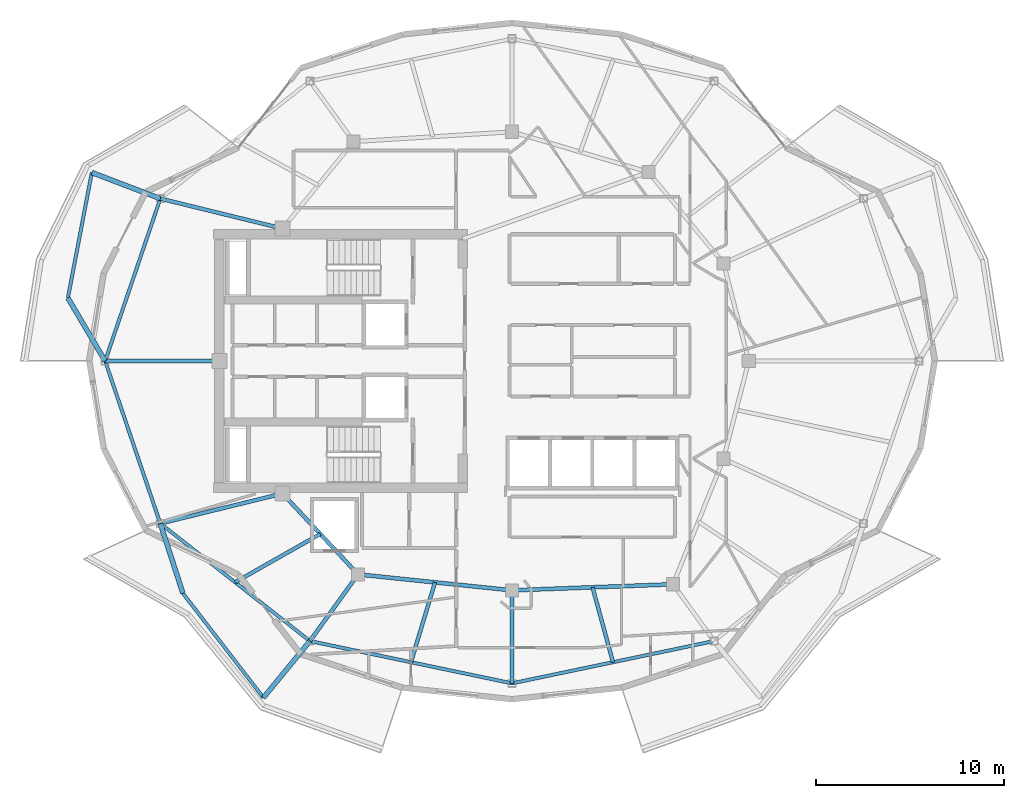
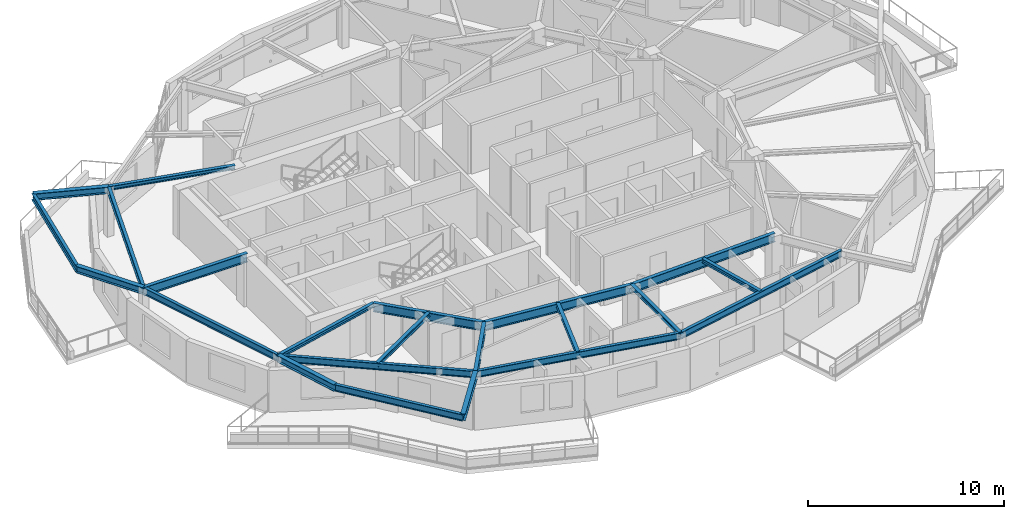
# One storey, part 2 of 14: 22 beams.
"""IFC4 building model written with IfcOpenShell, lengths in metres."""

from ifc_helpers import new_model, si_unit, direction, frame, origin, origin_2d, place, context, subcontext, project, spatial, i_section, extrude, material, material_profile, profile_set, type_object, element, save


model = new_model("IFC4")

# Units and contexts
model_context = context("Model", 3, precision=1e-05, world=origin(), true_north=direction((0.0, 1.0)))
body_context = subcontext(model_context, "Body", "Model", "MODEL_VIEW")
ifc_project = project(units=[si_unit("LENGTHUNIT", "METRE"), si_unit("AREAUNIT", "SQUARE_METRE"), si_unit("VOLUMEUNIT", "CUBIC_METRE"), si_unit("PLANEANGLEUNIT", "RADIAN"), si_unit("MASSUNIT", "GRAM", prefix="KILO")], contexts=[model_context])

# Site, building, storey
site_placement = place(None, origin())
site = spatial("IfcSite", under=ifc_project, at=site_placement, CompositionType="ELEMENT")
building_placement = place(site_placement, origin())
building = spatial("IfcBuilding", under=site, at=building_placement, Name="Kolvaren Gate Tower and Convention Centre", CompositionType="ELEMENT")
storey_placement = place(building_placement, frame((0.0, 0.0, 245.89990234375)))
storey = spatial("IfcBuildingStorey", under=building, at=storey_placement, Name="L66", CompositionType="ELEMENT", Elevation=245.89990234375)

# Beams
ifc_material = material(Name="Structural steel ASTM A992 Grade 345 MPa", Category="steel")
ifc_material_profile_1 = material_profile(ifc_material, i_section(OverallWidth=0.260009765625, OverallDepth=0.419921875, WebThickness=0.013427734375, FlangeThickness=0.0224609375, at=origin_2d()), Name="W410X132")
ifc_profile_set_1 = profile_set([ifc_material_profile_1], Name="Structural steel ASTM A992 Grade 345 MPa")
beam_type_1 = type_object("IfcBeamType", Name="STR-BM-W410X132", PredefinedType="BEAM", material=ifc_profile_set_1)
beam_1_placement = place(storey_placement, frame((11.4111328125, 35.6435546875, 2.820556640625), z_axis=(-0.934583890573, 0.355742816485, 0.0), x_axis=(-0.355742816485, -0.934583890573, 0.0)))
element("IfcBeam", 1, at=beam_1_placement, inside=storey, type_object=beam_type_1, Name="Tower L67 Planted Balcony Outrigger Cantilever BC-2A", PredefinedType="BEAM", context=body_context, shape_type="SweptSolid", body=[
    extrude(i_section(OverallWidth=0.260009765625, OverallDepth=0.419921875, WebThickness=0.013427734375, FlangeThickness=0.0224609375, at=origin_2d()), origin(), (0.0, 0.0, 1.0), 3.900146484375),
])
beam_2_placement = place(storey_placement, frame((8.47509765625, 27.0, 2.820556640625), z_axis=(-0.508138645793, 0.861275285058, 0.0), x_axis=(-0.861275285058, -0.508138645793, 0.0)))
element("IfcBeam", 2, at=beam_2_placement, inside=storey, type_object=beam_type_1, Name="Tower L67 Planted Balcony Outrigger Cantilever BC-2B", PredefinedType="BEAM", context=body_context, shape_type="SweptSolid", body=[
    extrude(i_section(OverallWidth=0.260009765625, OverallDepth=0.419921875, WebThickness=0.013427734375, FlangeThickness=0.0224609375, at=origin_2d()), origin(), (0.0, 0.0, 1.0), 3.89990234375),
])
beam_3_placement = place(storey_placement, frame((11.4111328125, 18.3564453125, 2.820556640625), z_axis=(0.307670281141, -0.951493036287, 0.0), x_axis=(0.951493036287, 0.307670281141, 0.0)))
element("IfcBeam", 3, at=beam_3_placement, inside=storey, type_object=beam_type_1, Name="Tower L67 Planted Balcony Outrigger Cantilever BC-3A", PredefinedType="BEAM", context=body_context, shape_type="SweptSolid", body=[
    extrude(i_section(OverallWidth=0.260009765625, OverallDepth=0.419921875, WebThickness=0.013427734375, FlangeThickness=0.0224609375, at=origin_2d()), origin(), (0.0, 0.0, 1.0), 3.900146484375),
])
beam_4_placement = place(storey_placement, frame((19.372314453125, 12.100830078125, 2.820556640625), z_axis=(-0.634712723343, -0.77274818591, 0.0), x_axis=(0.77274818591, -0.634712723343, 0.0)))
element("IfcBeam", 4, at=beam_4_placement, inside=storey, type_object=beam_type_1, Name="Tower L67 Planted Balcony Outrigger Cantilever BC-3B", PredefinedType="BEAM", context=body_context, shape_type="SweptSolid", body=[
    extrude(i_section(OverallWidth=0.260009765625, OverallDepth=0.419921875, WebThickness=0.013427734375, FlangeThickness=0.0224609375, at=origin_2d()), origin(), (0.0, 0.0, 1.0), 3.89990234375),
])
ifc_material_profile_2 = material_profile(ifc_material, i_section(OverallWidth=0.2119140625, OverallDepth=0.5439453125, WebThickness=0.01318359375, FlangeThickness=0.021240234375, at=origin_2d()), Name="W530X123")
ifc_profile_set_2 = profile_set([ifc_material_profile_2], Name="Structural steel ASTM A992 Grade 345 MPa")
beam_type_2 = type_object("IfcBeamType", Name="STR-BM-W530X123", PredefinedType="BEAM", material=ifc_profile_set_2)
beam_5_placement = place(storey_placement, frame((17.9140625, 19.949951171875, 2.758056640625), z_axis=(0.682557592987, -0.730831808459, 0.0), x_axis=(0.730831808459, 0.682557592987, 0.0)))
element("IfcBeam", 5, at=beam_5_placement, inside=storey, type_object=beam_type_2, Name="Tower L66 Primary Ring Girder G-06", PredefinedType="BEAM", context=body_context, shape_type="SweptSolid", body=[
    extrude(i_section(OverallWidth=0.2119140625, OverallDepth=0.5439453125, WebThickness=0.01318359375, FlangeThickness=0.021240234375, at=origin_2d()), origin(), (0.0, 0.0, 1.0), 5.88671875),
])
beam_6_placement = place(storey_placement, frame((21.93212890625, 15.647705078125, 2.758056640625), z_axis=(0.994690329115, -0.102913308978, 0.0), x_axis=(0.102913308978, 0.994690329115, 0.0)))
element("IfcBeam", 6, at=beam_6_placement, inside=storey, type_object=beam_type_2, Name="Tower L66 Primary Ring Girder G-07", PredefinedType="BEAM", context=body_context, shape_type="SweptSolid", body=[
    extrude(i_section(OverallWidth=0.2119140625, OverallDepth=0.5439453125, WebThickness=0.01318359375, FlangeThickness=0.021240234375, at=origin_2d()), origin(), (0.0, 0.0, 1.0), 8.236572265625),
])
beam_7_placement = place(storey_placement, frame((30.125, 14.800048828125, 2.758056640625), z_axis=(0.999301712453, 0.037364254142, 0.0), x_axis=(-0.037364254142, 0.999301712453, 0.0)))
element("IfcBeam", 7, at=beam_7_placement, inside=storey, type_object=beam_type_2, Name="Tower L66 Primary Ring Girder G-08", PredefinedType="BEAM", context=body_context, shape_type="SweptSolid", body=[
    extrude(i_section(OverallWidth=0.2119140625, OverallDepth=0.5439453125, WebThickness=0.01318359375, FlangeThickness=0.021240234375, at=origin_2d()), origin(), (0.0, 0.0, 1.0), 8.579345703125),
])
beam_8_placement = place(storey_placement, frame((14.550048828125, 27.0, 2.758056640625), z_axis=(-1.0, 0.0, 0.0), x_axis=(0.0, -1.0, 0.0)))
element("IfcBeam", 8, at=beam_8_placement, inside=storey, type_object=beam_type_2, Name="Tower L66 Radial Floor Girder RB-07", PredefinedType="BEAM", context=body_context, shape_type="SweptSolid", body=[
    extrude(i_section(OverallWidth=0.2119140625, OverallDepth=0.5439453125, WebThickness=0.01318359375, FlangeThickness=0.021240234375, at=origin_2d()), origin(), (0.0, 0.0, 1.0), 6.074951171875),
])
beam_9_placement = place(storey_placement, frame((21.93212890625, 15.647705078125, 2.758056640625), z_axis=(-0.585217447343, -0.810876402003, 0.0), x_axis=(0.810876402003, -0.585217447343, 0.0)))
element("IfcBeam", 9, at=beam_9_placement, inside=storey, type_object=beam_type_2, Name="Tower L66 Radial Floor Girder RB-09", PredefinedType="BEAM", context=body_context, shape_type="SweptSolid", body=[
    extrude(i_section(OverallWidth=0.2119140625, OverallDepth=0.5439453125, WebThickness=0.01318359375, FlangeThickness=0.021240234375, at=origin_2d()), origin(), (0.0, 0.0, 1.0), 4.3740234375),
])
ifc_material_profile_3 = material_profile(ifc_material, i_section(OverallWidth=0.202880859375, OverallDepth=0.251953125, WebThickness=0.008056640625, FlangeThickness=0.013427734375, at=origin_2d()), Name="W250X58")
ifc_profile_set_3 = profile_set([ifc_material_profile_3], Name="Structural steel ASTM A992 Grade 345 MPa")
beam_type_3 = type_object("IfcBeamType", Name="STR-JS-W250X58", PredefinedType="JOIST", material=ifc_profile_set_3)
for number, where, z_axis, x_axis, name in (
    (10, (17.9140625, 34.050048828125, 2.904052734375), (-0.971264462968, 0.238002821362, 0.0), (-0.238002821362, -0.971264462968, 0.0), "Tower L66 Radial Floor Girder RB-06"),
    (11, (17.9140625, 19.949951171875, 2.904052734375), (-0.971264462968, -0.238002821362, 0.0), (0.238002821362, -0.971264462968, 0.0), "Tower L66 Radial Floor Girder RB-08"),
):
    element("IfcBeam", number, at=place(storey_placement, frame(where, z_axis=z_axis, x_axis=x_axis)), inside=storey, type_object=beam_type_3, Name=name, PredefinedType="JOIST", context=body_context, shape_type="SweptSolid", body=[
        extrude(i_section(OverallWidth=0.202880859375, OverallDepth=0.251953125, WebThickness=0.008056640625, FlangeThickness=0.013427734375, at=origin_2d()), origin(), (0.0, 0.0, 1.0), 6.6953125),
    ])
beam_10_placement = place(storey_placement, frame((30.125, 14.800048828125, 2.904052734375), z_axis=(0.0, -1.0, 0.0), x_axis=(1.0, 0.0, 0.0)))
element("IfcBeam", 12, at=beam_10_placement, inside=storey, type_object=beam_type_3, Name="Tower L66 Radial Floor Girder RB-10", PredefinedType="JOIST", context=body_context, shape_type="SweptSolid", body=[
    extrude(i_section(OverallWidth=0.202880859375, OverallDepth=0.251953125, WebThickness=0.008056640625, FlangeThickness=0.013427734375, at=origin_2d()), origin(), (0.0, 0.0, 1.0), 4.949951171875),
])
beam_11_placement = place(storey_placement, frame((19.923095703125, 17.798828125, 2.904052734375), z_axis=(-0.869819092813, -0.493370799479, 0.0), x_axis=(0.493370799479, -0.869819092813, 0.0)))
element("IfcBeam", 13, at=beam_11_placement, inside=storey, type_object=beam_type_3, Name="Tower L66 Secondary Composite Floor Joist J-08.1", PredefinedType="JOIST", context=body_context, shape_type="SweptSolid", body=[
    extrude(i_section(OverallWidth=0.202880859375, OverallDepth=0.251953125, WebThickness=0.008056640625, FlangeThickness=0.013427734375, at=origin_2d()), origin(), (0.0, 0.0, 1.0), 5.209716796875),
])
beam_12_placement = place(storey_placement, frame((26.028564453125, 15.223876953125, 2.904052734375), z_axis=(-0.288427961133, -0.957501598556, 0.0), x_axis=(0.957501598556, -0.288427961133, 0.0)))
element("IfcBeam", 14, at=beam_12_placement, inside=storey, type_object=beam_type_3, Name="Tower L66 Secondary Composite Floor Joist J-09.1", PredefinedType="JOIST", context=body_context, shape_type="SweptSolid", body=[
    extrude(i_section(OverallWidth=0.202880859375, OverallDepth=0.251953125, WebThickness=0.008056640625, FlangeThickness=0.013427734375, at=origin_2d()), origin(), (0.0, 0.0, 1.0), 4.43701171875),
])
beam_13_placement = place(storey_placement, frame((34.41162109375, 14.960205078125, 2.904052734375), z_axis=(0.263752420282, -0.964590410898, 0.0), x_axis=(0.964590410898, 0.263752420282, 0.0)))
element("IfcBeam", 15, at=beam_13_placement, inside=storey, type_object=beam_type_3, Name="Tower L66 Secondary Composite Floor Joist J-10.1", PredefinedType="JOIST", context=body_context, shape_type="SweptSolid", body=[
    extrude(i_section(OverallWidth=0.202880859375, OverallDepth=0.251953125, WebThickness=0.008056640625, FlangeThickness=0.013427734375, at=origin_2d()), origin(), (0.0, 0.0, 1.0), 4.131103515625),
])
ifc_material_profile_4 = material_profile(ifc_material, i_section(OverallWidth=0.180908203125, OverallDepth=0.4169921875, WebThickness=0.010986328125, FlangeThickness=0.018310546875, at=origin_2d()), Name="W410X85")
ifc_profile_set_4 = profile_set([ifc_material_profile_4], Name="Structural steel ASTM A992 Grade 345 MPa")
beam_type_4 = type_object("IfcBeamType", Name="STR-SP-W410X85", PredefinedType="SPANDREL", material=ifc_profile_set_4)
for number, where, z_axis, x_axis, name in (
    (16, (11.4111328125, 35.6435546875, 2.821533203125), (-0.32163038352, -0.946865300028, 0.0), (0.946865300028, -0.32163038352, 0.0), "Tower L66 Perimeter Spandrel Beam SP-06"),
    (17, (8.47509765625, 27.0, 2.821533203125), (0.32163038352, -0.946865300028, 0.0), (0.946865300028, 0.32163038352, 0.0), "Tower L66 Perimeter Spandrel Beam SP-07"),
):
    element("IfcBeam", number, at=place(storey_placement, frame(where, z_axis=z_axis, x_axis=x_axis)), inside=storey, type_object=beam_type_4, Name=name, PredefinedType="SPANDREL", context=body_context, shape_type="SweptSolid", body=[
        extrude(i_section(OverallWidth=0.180908203125, OverallDepth=0.4169921875, WebThickness=0.010986328125, FlangeThickness=0.018310546875, at=origin_2d()), origin(), (0.0, 0.0, 1.0), 9.128662109375),
    ])
beam_14_placement = place(storey_placement, frame((11.4111328125, 18.3564453125, 2.821533203125), z_axis=(0.786299093723, -0.61784604491, 0.0), x_axis=(0.61784604491, 0.786299093723, 0.0)))
element("IfcBeam", 18, at=beam_14_placement, inside=storey, type_object=beam_type_4, Name="Tower L66 Perimeter Spandrel Beam SP-08", PredefinedType="SPANDREL", context=body_context, shape_type="SweptSolid", body=[
    extrude(i_section(OverallWidth=0.180908203125, OverallDepth=0.4169921875, WebThickness=0.010986328125, FlangeThickness=0.018310546875, at=origin_2d()), origin(), (0.0, 0.0, 1.0), 10.124755859375),
])
for number, where, z_axis, x_axis, name in (
    (19, (19.372314453125, 12.100830078125, 2.821533203125), (0.97878751616, -0.204878008117, 0.0), (0.204878008117, 0.97878751616, 0.0), "Tower L66 Perimeter Spandrel Beam SP-09"),
    (20, (30.125, 9.85009765625, 2.821533203125), (0.97878751616, 0.204878008117, 0.0), (-0.204878008117, 0.97878751616, 0.0), "Tower L66 Perimeter Spandrel Beam SP-10"),
):
    element("IfcBeam", number, at=place(storey_placement, frame(where, z_axis=z_axis, x_axis=x_axis)), inside=storey, type_object=beam_type_4, Name=name, PredefinedType="SPANDREL", context=body_context, shape_type="SweptSolid", body=[
        extrude(i_section(OverallWidth=0.180908203125, OverallDepth=0.4169921875, WebThickness=0.010986328125, FlangeThickness=0.018310546875, at=origin_2d()), origin(), (0.0, 0.0, 1.0), 10.98583984375),
    ])
beam_15_placement = place(storey_placement, frame((7.76611328125, 37.031005859375, 2.822021484375), z_axis=(-0.187371410824, -0.982289139921, 0.0), x_axis=(0.982289139921, -0.187371410824, 0.0)))
element("IfcBeam", 21, at=beam_15_placement, inside=storey, type_object=beam_type_4, Name="Tower L67 Planted Balcony Header Tie Beam BT-2", PredefinedType="SPANDREL", context=body_context, shape_type="SweptSolid", body=[
    extrude(i_section(OverallWidth=0.180908203125, OverallDepth=0.4169921875, WebThickness=0.010986328125, FlangeThickness=0.018310546875, at=origin_2d()), origin(), (0.0, 0.0, 1.0), 6.79248046875),
])
beam_16_placement = place(storey_placement, frame((12.611083984375, 14.6455078125, 2.822021484375), z_axis=(0.610626494716, -0.791918735699, 0.0), x_axis=(0.791918735699, 0.610626494716, 0.0)))
element("IfcBeam", 22, at=beam_16_placement, inside=storey, type_object=beam_type_4, Name="Tower L67 Planted Balcony Header Tie Beam BT-3", PredefinedType="SPANDREL", context=body_context, shape_type="SweptSolid", body=[
    extrude(i_section(OverallWidth=0.180908203125, OverallDepth=0.4169921875, WebThickness=0.010986328125, FlangeThickness=0.018310546875, at=origin_2d()), origin(), (0.0, 0.0, 1.0), 7.018798828125),
])

save(model, "model.ifc")
